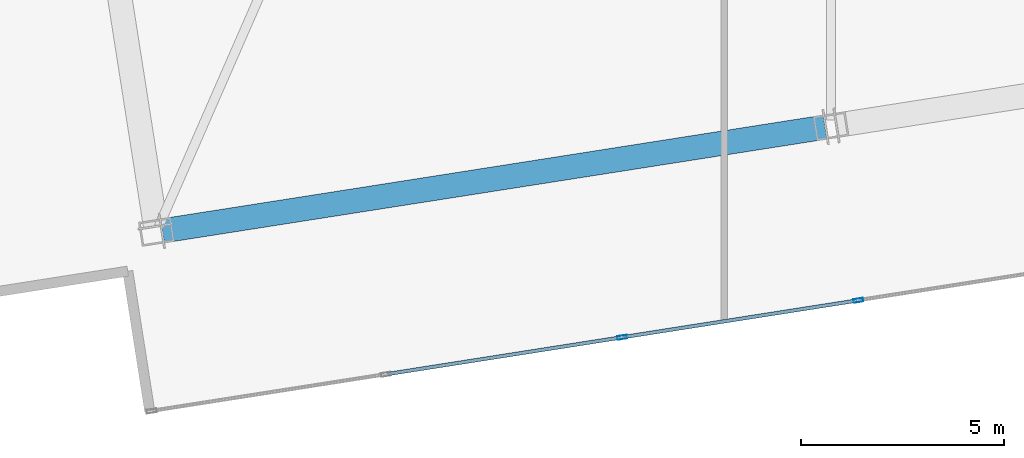
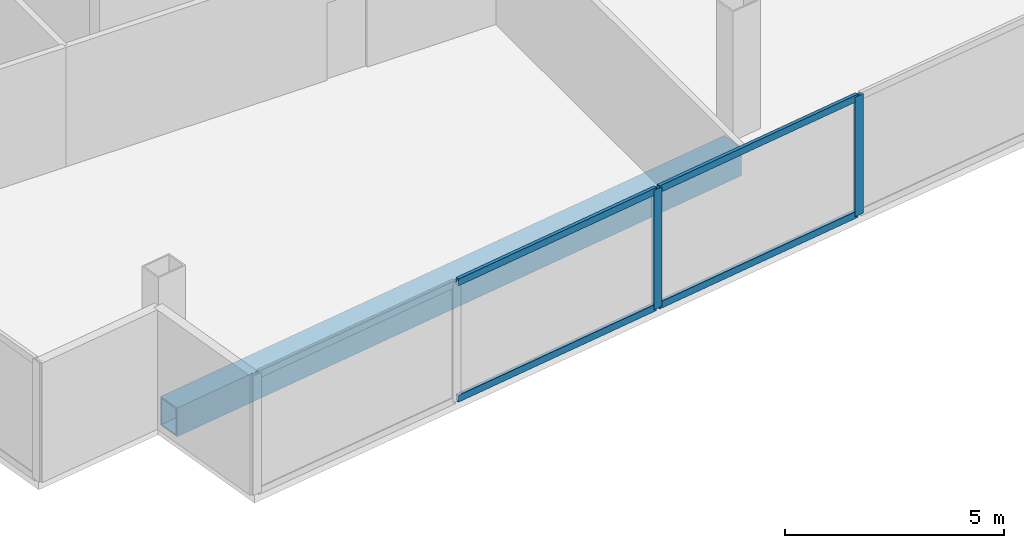
# One storey, part 3 of 17: 6 members, 1 beam, 1 element without a shape of its own.
"""IFC4 building model written with IfcOpenShell, lengths in metres."""

import ifcopenshell
import ifcopenshell.guid

model = None  # the IFC model being written
_history = None  # IfcOwnerHistory: only IFC2X3 demands one
_inside = {}  # id of a spatial element -> (the spatial element, [elements in it])
_under = {}  # id of a project, library or spatial element -> (it, [spatial elements below it])
_declared = {}  # id of a project -> (the project, [libraries it declares])
_typed = {}  # id of a type object -> (the type object, [elements of that type])
_made_of = {}  # id of a material, layer set ... -> (it, [elements and type objects made of it])


def new_model(schema):
    """Start an empty IFC model of exactly this schema.

    Asked for "IFC4X3", IfcOpenShell would pick the latest addendum, in which some entities
    have other attributes; the version numbers below select the first issue.
    IFC2X3 requires an IfcOwnerHistory on every rooted entity: one is made here for all.
    """
    global model, _history
    if schema == "IFC4X3":
        model = ifcopenshell.file(schema_version=(4, 3, 0, 0))
    else:
        model = ifcopenshell.file(schema=schema)
    _inside.clear()
    _under.clear()
    _declared.clear()
    _typed.clear()
    _made_of.clear()
    _history = None
    if model.schema == "IFC2X3":
        org = make("IfcOrganization", Name="unknown")
        user = make(
            "IfcPersonAndOrganization",
            ThePerson=make("IfcPerson", FamilyName="unknown"),
            TheOrganization=org,
        )
        app = make(
            "IfcApplication",
            ApplicationDeveloper=org,
            Version="unknown",
            ApplicationFullName="unknown",
            ApplicationIdentifier="unknown",
        )
        _history = make(
            "IfcOwnerHistory",
            OwningUser=user,
            OwningApplication=app,
            ChangeAction="ADDED",
            CreationDate=0,
        )
    return model


def make(cls, **values):
    """One entity of the class cls with the attributes given. An attribute that is None is left unset."""
    return model.create_entity(
        cls, **{name: value for name, value in values.items() if value is not None}
    )


def rooted(cls, **values):
    """An entity with a GlobalId (a new one), such as an element, a storey or a relation."""
    return make(cls, GlobalId=ifcopenshell.guid.new(), OwnerHistory=_history, **values)


def si_unit(unit_type, name, prefix=None):
    """IfcSIUnit, for example si_unit("LENGTHUNIT", "METRE", prefix="MILLI")."""
    return make("IfcSIUnit", UnitType=unit_type, Prefix=prefix, Name=name)


def assignment(units):
    """IfcUnitAssignment: the units of a project."""
    return None if units is None else make("IfcUnitAssignment", Units=units)


def point(xyz):
    """IfcCartesianPoint."""
    return None if xyz is None else make("IfcCartesianPoint", Coordinates=xyz)


def direction(xyz):
    """IfcDirection."""
    return None if xyz is None else make("IfcDirection", DirectionRatios=xyz)


def frame(location, z_axis=None, x_axis=None):
    """IfcAxis2Placement3D, a coordinate frame: its origin and axes. An axis left out is left unset."""
    return make(
        "IfcAxis2Placement3D",
        Location=point(location),
        Axis=direction(z_axis),
        RefDirection=direction(x_axis),
    )


def frame_2d(location, x_axis=None):
    """IfcAxis2Placement2D, a coordinate frame in the plane: its origin and x axis."""
    return make(
        "IfcAxis2Placement2D", Location=point(location), RefDirection=direction(x_axis)
    )


def origin():
    """The frame at (0, 0, 0) with its axes left unset."""
    return frame((0.0, 0.0, 0.0))


def origin_2d():
    """The frame at (0, 0) in the plane with its x axis left unset."""
    return frame_2d((0.0, 0.0))


def place(relative_to, where):
    """IfcLocalPlacement: puts the frame where relative to a parent placement (None: the world)."""
    return make(
        "IfcLocalPlacement", PlacementRelTo=relative_to, RelativePlacement=where
    )


def context(
    kind, dimensions, precision=None, world=None, true_north=None, identifier=None
):
    """IfcGeometricRepresentationContext, for example the 3D "Model" context."""
    return make(
        "IfcGeometricRepresentationContext",
        ContextIdentifier=identifier,
        ContextType=kind,
        CoordinateSpaceDimension=dimensions,
        Precision=precision,
        WorldCoordinateSystem=world,
        TrueNorth=true_north,
    )


def subcontext(parent, identifier, kind, view, scale=None):
    """IfcGeometricRepresentationSubContext, for example "Body" below "Model"."""
    return make(
        "IfcGeometricRepresentationSubContext",
        ContextIdentifier=identifier,
        ContextType=kind,
        ParentContext=parent,
        TargetScale=scale,
        TargetView=view,
    )


def project(units=None, contexts=None):
    """IfcProject with its units and contexts."""
    return rooted(
        "IfcProject",
        Name="project",
        RepresentationContexts=contexts,
        UnitsInContext=assignment(units),
    )


def spatial(cls, under=None, at=None, **own):
    """A site, building, storey or space (cls), placed at a placement, below another one or the project."""
    s = rooted(cls, ObjectPlacement=at, **own)
    if under is not None:
        _under.setdefault(under.id(), (under, []))[1].append(s)
    return s


def profile(cls, at=None, kind="AREA", **sizes):
    """A parametric profile (cls). Its sizes go by their IFC names, for example OverallWidth=200.0."""
    return make(cls, ProfileType=kind, Position=at, **sizes)


def hollow_rectangle(**sizes):
    """IfcRectangleHollowProfileDef."""
    return profile("IfcRectangleHollowProfileDef", **sizes)


def extrude(swept, where, along, depth):
    """IfcExtrudedAreaSolid: the profile swept, set in the frame where, extruded along a direction by depth."""
    return make(
        "IfcExtrudedAreaSolid",
        SweptArea=swept,
        Position=where,
        ExtrudedDirection=direction(along),
        Depth=depth,
    )


def shape(context_of_items, identifier, shape_type, items):
    """IfcShapeRepresentation: the items that make up one representation, for example the "Body"."""
    return make(
        "IfcShapeRepresentation",
        ContextOfItems=context_of_items,
        RepresentationIdentifier=identifier,
        RepresentationType=shape_type,
        Items=items,
    )


def material(Name=None, Category=None):
    """IfcMaterial."""
    return make("IfcMaterial", Name=Name, Category=Category)


def material_profile(
    of_material, cross_section, Name=None, Category=None, Priority=None
):
    """IfcMaterialProfile: a cross section and its material."""
    return make(
        "IfcMaterialProfile",
        Name=Name,
        Material=of_material,
        Profile=cross_section,
        Priority=Priority,
        Category=Category,
    )


def profile_set(profiles, Name=None, composite=None):
    """IfcMaterialProfileSet."""
    return make(
        "IfcMaterialProfileSet",
        Name=Name,
        MaterialProfiles=profiles,
        CompositeProfile=composite,
    )


def made_of(thing, what):
    """Note that an element or type object is made of a material, layer set ...; save() writes the relation."""
    if what is not None:
        _made_of.setdefault(what.id(), (what, []))[1].append(thing)
    return thing


def type_object(cls, material=None, **own):
    """A type object (cls), such as IfcWallType, which elements share."""
    return made_of(rooted(cls, **own), material)


def element(
    cls,
    number,
    at=None,
    inside=None,
    cuts=None,
    type_object=None,
    material=None,
    context=None,
    identifier="Body",
    shape_type=None,
    held_by="IfcProductDefinitionShape",
    body=None,
    shapes=None,
    **own,
):
    """One element of the class cls, such as IfcWall. Its Tag is "e" and its number.

    at: its placement. inside: the storey or other place that contains it. cuts: it is an
    opening in that element (IfcRelVoidsElement). A single representation is given by context,
    identifier, shape_type and body (its items); several are given by shapes. held_by: the class
    of the entity that holds the representations. save() writes the other relations.
    """
    e = rooted(cls, Tag="e%d" % number, ObjectPlacement=at, **own)
    if body is not None:
        shapes = [shape(context, identifier, shape_type, body)]
    if shapes is not None:
        e.Representation = make(held_by, Representations=shapes)
    if inside is not None:
        _inside.setdefault(inside.id(), (inside, []))[1].append(e)
    if cuts is not None:
        rooted(
            "IfcRelVoidsElement", RelatingBuildingElement=cuts, RelatedOpeningElement=e
        )
    if type_object is not None:
        _typed.setdefault(type_object.id(), (type_object, []))[1].append(e)
    return made_of(e, material)


def aggregate(whole, parts):
    """IfcRelAggregates: a whole, such as a stair, and the parts it consists of."""
    return rooted("IfcRelAggregates", RelatingObject=whole, RelatedObjects=parts)


def save(model, path):
    """Write the relations noted so far, then the file.

    IfcRelAggregates (storeys below a building ...), IfcRelContainedInSpatialStructure (elements
    in a storey), IfcRelDefinesByType, IfcRelAssociatesMaterial and IfcRelDeclares: one each for
    every whole, place, type object, material and project.
    """
    for whole, parts in _under.values():
        aggregate(whole, parts)
    for where, things in _inside.values():
        rooted(
            "IfcRelContainedInSpatialStructure",
            RelatedElements=things,
            RelatingStructure=where,
        )
    for kind, things in _typed.values():
        rooted("IfcRelDefinesByType", RelatedObjects=things, RelatingType=kind)
    for what, things in _made_of.values():
        rooted("IfcRelAssociatesMaterial", RelatedObjects=things, RelatingMaterial=what)
    for by, libraries in _declared.values():
        rooted("IfcRelDeclares", RelatingContext=by, RelatedDefinitions=libraries)
    model.write(path)


model = new_model("IFC4")

# Units and contexts
model_context = context("Model", 3, precision=1e-05, world=origin(), true_north=direction((0.0, 1.0)))
body_context = subcontext(model_context, "Body", "Model", "MODEL_VIEW")
ifc_project = project(units=[si_unit("LENGTHUNIT", "METRE"), si_unit("AREAUNIT", "SQUARE_METRE"), si_unit("VOLUMEUNIT", "CUBIC_METRE"), si_unit("PLANEANGLEUNIT", "RADIAN"), si_unit("MASSUNIT", "GRAM", prefix="KILO")], contexts=[model_context])

# Site, building, storey
site_placement = place(None, origin())
site = spatial("IfcSite", under=ifc_project, at=site_placement, CompositionType="ELEMENT")
building_placement = place(site_placement, origin())
building = spatial("IfcBuilding", under=site, at=building_placement, Name="Haldenkirk Collegiate Tower", CompositionType="ELEMENT")
storey_placement = place(building_placement, frame((0.0, 0.0, 364.199951171875)))
storey = spatial("IfcBuildingStorey", under=building, at=storey_placement, Name="L92", CompositionType="ELEMENT", Elevation=364.199951171875)

# Beam
ifc_material_1 = material(Name="Steel ASTM A572 Grade 50", Category="steel")
ifc_material_profile_1 = material_profile(ifc_material_1, hollow_rectangle(XDim=0.60009765625, YDim=0.800048828125, WallThickness=0.0400390625, at=origin_2d()), Name="BOX800X600X40")
ifc_profile_set_1 = profile_set([ifc_material_profile_1], Name="Steel ASTM A572 Grade 50")
beam_type = type_object("IfcBeamType", Name="BM-SPANDREL-BOX800X600X40", PredefinedType="SPANDREL", material=ifc_profile_set_1)
beam_placement = place(storey_placement, frame((22.138916015625, 6.571533203125, -0.669921875), z_axis=(0.987958818005, 0.154717077036, 0.0), x_axis=(-0.154717077036, 0.987958818005, 0.0)))
element("IfcBeam", 1, at=beam_placement, inside=storey, type_object=beam_type, Name="L92 Crown Ring Frame perimeter girder 7", PredefinedType="SPANDREL", context=body_context, shape_type="SweptSolid", body=[
    extrude(hollow_rectangle(XDim=0.60009765625, YDim=0.800048828125, WallThickness=0.0400390625, at=origin_2d()), origin(), (0.0, 0.0, 1.0), 16.5498046875),
])

# Curtain wall, members
ifc_material_2 = material(Name="Anodised architectural bronze aluminium", Category="aluminium")
curtain_wall_type = type_object("IfcCurtainWallType", Name="CW-SYS6-CROWN", PredefinedType="USERDEFINED", material=ifc_material_2)
curtain_wall_placement = place(storey_placement, origin())
curtain_wall = element("IfcCurtainWall", 2, at=curtain_wall_placement, inside=storey, type_object=curtain_wall_type, Name="L92 Closed crown ring ceramic-fritted bronze screen curtain wall", ObjectType="UNITISED CURTAIN WALL", PredefinedType="USERDEFINED")
ifc_material_profile_2 = material_profile(ifc_material_2, hollow_rectangle(XDim=0.090087890625, YDim=0.239990234375, WallThickness=0.0048828125, at=origin_2d()), Name="CW-MUL-06")
ifc_profile_set_2 = profile_set([ifc_material_profile_2], Name="Anodised architectural bronze aluminium")
member_type_1 = type_object("IfcMemberType", Name="CW-MUL-06", PredefinedType="MULLION", material=ifc_profile_set_2)
member_1_placement = place(storey_placement, frame((39.310791015625, 4.857666015625, 0.0), z_axis=(0.0, 0.0, 1.0), x_axis=(0.154708982189, -0.987960085646, 0.0)))
member_1 = element("IfcMember", 3, at=member_1_placement, type_object=member_type_1, Name="CW-06 mullion 4", PredefinedType="MULLION", context=body_context, shape_type="SweptSolid", body=[
    extrude(hollow_rectangle(XDim=0.090087890625, YDim=0.239990234375, WallThickness=0.0048828125, at=origin_2d()), origin(), (0.0, 0.0, 1.0), 3.330078125),
])
member_2_placement = place(storey_placement, frame((33.48193359375, 3.94482421875, 0.0), z_axis=(0.0, 0.0, 1.0), x_axis=(0.154708982189, -0.987960085646, 0.0)))
member_2 = element("IfcMember", 4, at=member_2_placement, type_object=member_type_1, Name="CW-06 mullion 5", PredefinedType="MULLION", context=body_context, shape_type="SweptSolid", body=[
    extrude(hollow_rectangle(XDim=0.090087890625, YDim=0.239990234375, WallThickness=0.0048828125, at=origin_2d()), origin(), (0.0, 0.0, 1.0), 3.330078125),
])
ifc_material_profile_3 = material_profile(ifc_material_2, hollow_rectangle(XDim=0.090087890625, YDim=0.18994140625, WallThickness=0.0048828125, at=origin_2d()), Name="CW-TRN-06")
ifc_profile_set_3 = profile_set([ifc_material_profile_3], Name="Anodised architectural bronze aluminium")
member_type_2 = type_object("IfcMemberType", Name="CW-TRN-06", PredefinedType="USERDEFINED", material=ifc_profile_set_3)
member_3_placement = place(storey_placement, frame((39.266357421875, 4.8505859375, 0.045166015625), z_axis=(-0.987964517712, -0.154680676692, 0.0), x_axis=(0.154680676692, -0.987964517712, 0.0)))
member_3 = element("IfcMember", 5, at=member_3_placement, type_object=member_type_2, Name="CW-06 transom 4.1", ObjectType="TRANSOM", PredefinedType="USERDEFINED", context=body_context, shape_type="SweptSolid", body=[
    extrude(hollow_rectangle(XDim=0.090087890625, YDim=0.18994140625, WallThickness=0.0048828125, at=origin_2d()), origin(), (0.0, 0.0, 1.0), 5.809814453125),
])
member_4_placement = place(storey_placement, frame((39.266357421875, 4.8505859375, 3.28515625), z_axis=(-0.987964517712, -0.154680676692, 0.0), x_axis=(0.154680676692, -0.987964517712, 0.0)))
member_4 = element("IfcMember", 6, at=member_4_placement, type_object=member_type_2, Name="CW-06 transom 4.2", ObjectType="TRANSOM", PredefinedType="USERDEFINED", context=body_context, shape_type="SweptSolid", body=[
    extrude(hollow_rectangle(XDim=0.090087890625, YDim=0.18994140625, WallThickness=0.0048828125, at=origin_2d()), origin(), (0.0, 0.0, 1.0), 5.809814453125),
])
member_5_placement = place(storey_placement, frame((33.437255859375, 3.93798828125, 0.045166015625), z_axis=(-0.987958095237, -0.154721692257, 0.0), x_axis=(0.154721692257, -0.987958095237, 0.0)))
member_5 = element("IfcMember", 7, at=member_5_placement, type_object=member_type_2, Name="CW-06 transom 5.1", ObjectType="TRANSOM", PredefinedType="USERDEFINED", context=body_context, shape_type="SweptSolid", body=[
    extrude(hollow_rectangle(XDim=0.090087890625, YDim=0.18994140625, WallThickness=0.0048828125, at=origin_2d()), origin(), (0.0, 0.0, 1.0), 5.81005859375),
])
member_6_placement = place(storey_placement, frame((33.437255859375, 3.93798828125, 3.28515625), z_axis=(-0.987958095237, -0.154721692257, 0.0), x_axis=(0.154721692257, -0.987958095237, 0.0)))
member_6 = element("IfcMember", 8, at=member_6_placement, type_object=member_type_2, Name="CW-06 transom 5.2", ObjectType="TRANSOM", PredefinedType="USERDEFINED", context=body_context, shape_type="SweptSolid", body=[
    extrude(hollow_rectangle(XDim=0.090087890625, YDim=0.18994140625, WallThickness=0.0048828125, at=origin_2d()), origin(), (0.0, 0.0, 1.0), 5.81005859375),
])
aggregate(curtain_wall, [member_1, member_2, member_3, member_4, member_5, member_6])

save(model, "model.ifc")
